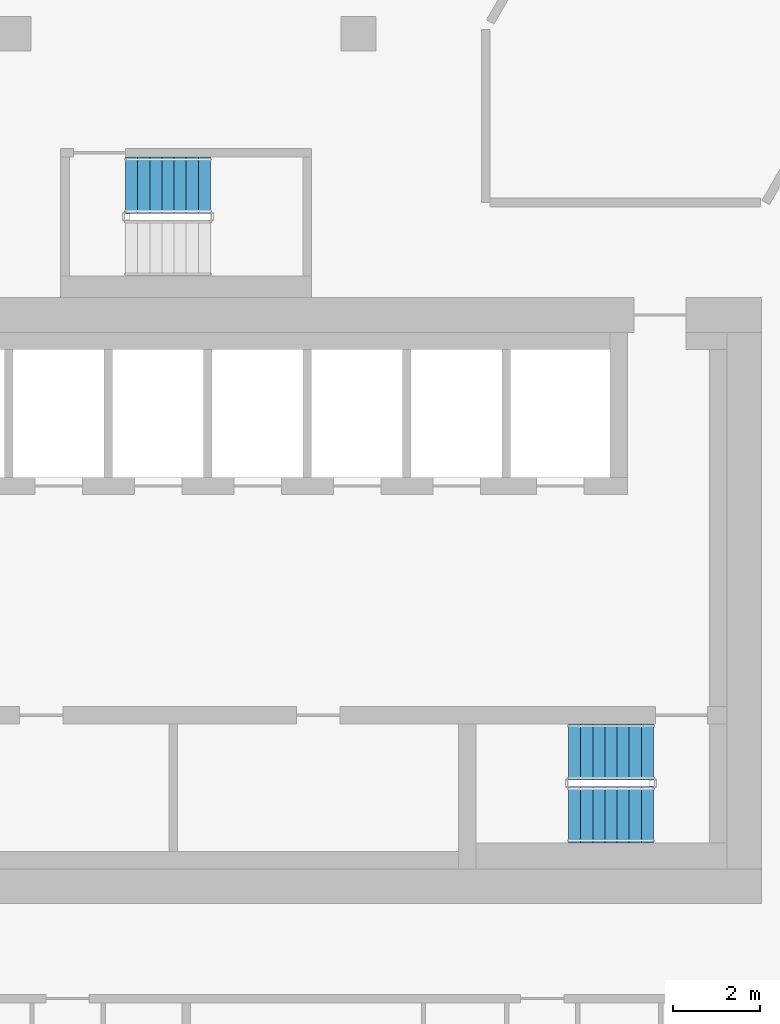
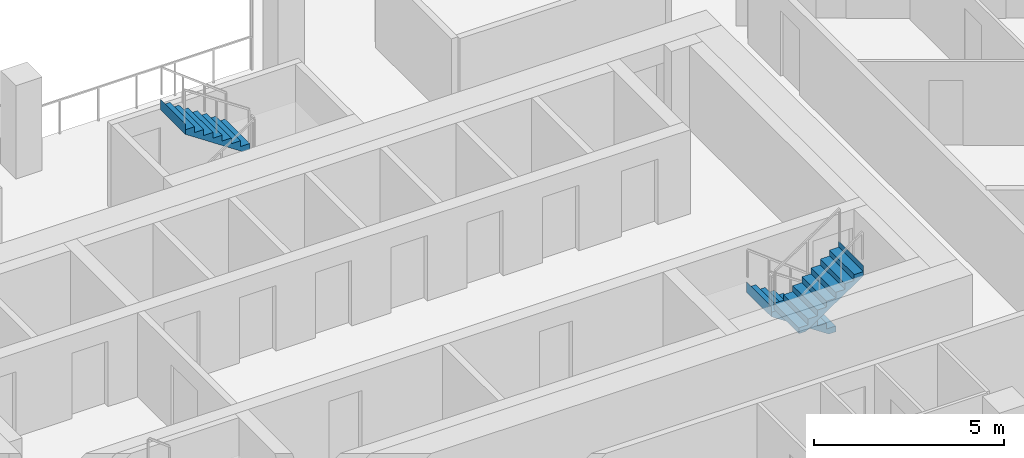
# One storey, part 11 of 15: 3 stair flights, 2 elements without a shape of their own.
"""IFC4 building model written with IfcOpenShell, lengths in metres."""

from ifc_helpers import new_model, si_unit, direction, frame, origin, place, context, subcontext, project, spatial, triangles, material, type_object, element, aggregate, save


model = new_model("IFC4")

# Units and contexts
model_context = context("Model", 3, precision=1e-05, world=origin(), true_north=direction((0.0, 1.0)))
body_context = subcontext(model_context, "Body", "Model", "MODEL_VIEW")
ifc_project = project(units=[si_unit("LENGTHUNIT", "METRE"), si_unit("AREAUNIT", "SQUARE_METRE"), si_unit("VOLUMEUNIT", "CUBIC_METRE"), si_unit("PLANEANGLEUNIT", "RADIAN"), si_unit("MASSUNIT", "GRAM", prefix="KILO")], contexts=[model_context])

# Site, building, storey
site_placement = place(None, origin())
site = spatial("IfcSite", under=ifc_project, at=site_placement, CompositionType="ELEMENT")
building_placement = place(site_placement, origin())
building = spatial("IfcBuilding", under=site, at=building_placement, Name="Beryl Residences", CompositionType="ELEMENT")
storey_placement = place(building_placement, frame((0.0, 0.0, 123.60009765625)))
storey = spatial("IfcBuildingStorey", under=building, at=storey_placement, Name="L37", CompositionType="ELEMENT", Elevation=123.60009765625)

# Stair, stair flights
ifc_material_1 = material(Name="Concrete C40/50", Category="concrete")
stair_type = type_object("IfcStairType", Name="ST1 protected exit stair, half-turn, 1300 mm flights", PredefinedType="HALF_TURN_STAIR", material=ifc_material_1)
stair_1_placement = place(storey_placement, origin())
stair_1 = element("IfcStair", 1, at=stair_1_placement, inside=storey, type_object=stair_type, Name="L37 PROTECTED EXIT STAIR ST-3", PredefinedType="HALF_TURN_STAIR")
ifc_material_2 = material(Name="Concrete C40/50", Category="concrete")
stair_flight_type = type_object("IfcStairFlightType", Name="SF1 stair flight 1300 mm", PredefinedType="STRAIGHT", material=ifc_material_2)
stair_flight_1_placement = place(storey_placement, frame((10.800048828125, -15.5, 0.0), z_axis=(0.0, 0.0, 1.0), x_axis=(-1.0, 0.0, 0.0)))
stair_flight_1 = element("IfcStairFlight", 2, at=stair_flight_1_placement, type_object=stair_flight_type, Name="ST-3 flight 1", NumberOfRisers=8, NumberOfTreads=7, PredefinedType="STRAIGHT", RiserHeight=0.1875, TreadLength=0.28, context=body_context, shape_type="Tessellation", body=[
    triangles([(0.0, -0.64990234375, 0.0), (0.0, -0.324951171875, 0.0), (0.0, 0.0, 0.0), (0.0, 0.324951171875, 0.0), (0.0, 0.64990234375, 0.0), (0.0, -0.64990234375, 0.1875), (0.0, -0.324951171875, 0.1875), (0.0, 0.0, 0.1875), (0.0, 0.324951171875, 0.1875), (0.0, 0.64990234375, 0.1875), (0.280029296875, -0.64990234375, 0.1875), (0.280029296875, -0.324951171875, 0.1875), (0.280029296875, 0.0, 0.1875), (0.280029296875, 0.324951171875, 0.1875), (0.280029296875, 0.64990234375, 0.1875), (0.280029296875, -0.64990234375, 0.375), (0.280029296875, -0.324951171875, 0.375), (0.280029296875, 0.0, 0.375), (0.280029296875, 0.324951171875, 0.375), (0.280029296875, 0.64990234375, 0.375), (0.56005859375, -0.64990234375, 0.375), (0.56005859375, -0.324951171875, 0.375), (0.56005859375, 0.0, 0.375), (0.56005859375, 0.324951171875, 0.375), (0.56005859375, 0.64990234375, 0.375), (0.56005859375, -0.64990234375, 0.5625), (0.56005859375, -0.324951171875, 0.5625), (0.56005859375, 0.0, 0.5625), (0.56005859375, 0.324951171875, 0.5625), (0.56005859375, 0.64990234375, 0.5625), (0.840087890625, -0.64990234375, 0.5625), (0.840087890625, -0.324951171875, 0.5625), (0.840087890625, 0.0, 0.5625), (0.840087890625, 0.324951171875, 0.5625), (0.840087890625, 0.64990234375, 0.5625), (0.840087890625, -0.64990234375, 0.75), (0.840087890625, -0.324951171875, 0.75), (0.840087890625, 0.0, 0.75), (0.840087890625, 0.324951171875, 0.75), (0.840087890625, 0.64990234375, 0.75), (1.1201171875, -0.64990234375, 0.75), (1.1201171875, -0.324951171875, 0.75), (1.1201171875, 0.0, 0.75), (1.1201171875, 0.324951171875, 0.75), (1.1201171875, 0.64990234375, 0.75), (1.1201171875, -0.64990234375, 0.9375), (1.1201171875, -0.324951171875, 0.9375), (1.1201171875, 0.0, 0.9375), (1.1201171875, 0.324951171875, 0.9375), (1.1201171875, 0.64990234375, 0.9375), (1.39990234375, -0.64990234375, 0.9375), (1.39990234375, -0.324951171875, 0.9375), (1.39990234375, 0.0, 0.9375), (1.39990234375, 0.324951171875, 0.9375), (1.39990234375, 0.64990234375, 0.9375), (1.39990234375, -0.64990234375, 1.125), (1.39990234375, -0.324951171875, 1.125), (1.39990234375, 0.0, 1.125), (1.39990234375, 0.324951171875, 1.125), (1.39990234375, 0.64990234375, 1.125), (1.679931640625, -0.64990234375, 1.125), (1.679931640625, -0.324951171875, 1.125), (1.679931640625, 0.0, 1.125), (1.679931640625, 0.324951171875, 1.125), (1.679931640625, 0.64990234375, 1.125), (1.679931640625, -0.64990234375, 1.3125), (1.679931640625, -0.324951171875, 1.3125), (1.679931640625, 0.0, 1.3125), (1.679931640625, 0.324951171875, 1.3125), (1.679931640625, 0.64990234375, 1.3125), (1.9599609375, -0.64990234375, 1.3125), (1.9599609375, -0.324951171875, 1.3125), (1.9599609375, 0.0, 1.3125), (1.9599609375, 0.324951171875, 1.3125), (1.9599609375, 0.64990234375, 1.3125), (1.9599609375, -0.64990234375, 1.5), (1.9599609375, -0.324951171875, 1.5), (1.9599609375, 0.0, 1.5), (1.9599609375, 0.324951171875, 1.5), (1.9599609375, 0.64990234375, 1.5), (1.9609375, -0.64990234375, 1.5), (1.9609375, -0.324951171875, 1.5), (1.9609375, 0.0, 1.5), (1.9609375, 0.324951171875, 1.5), (1.9609375, 0.64990234375, 1.5), (1.9609375, -0.64990234375, 1.16796875), (1.9609375, -0.324951171875, 1.16796875), (1.9609375, 0.0, 1.16796875), (1.9609375, 0.324951171875, 1.16796875), (1.9609375, 0.64990234375, 1.16796875), (0.216796875, -0.64990234375, 0.0), (0.216796875, -0.324951171875, 0.0), (0.216796875, 0.0, 0.0), (0.216796875, 0.324951171875, 0.0), (0.216796875, 0.64990234375, 0.0)], [[1, 6, 7], [1, 7, 2], [2, 7, 8], [2, 8, 3], [3, 8, 9], [3, 9, 4], [4, 9, 10], [4, 10, 5], [6, 11, 12], [6, 12, 7], [7, 12, 13], [7, 13, 8], [8, 13, 14], [8, 14, 9], [9, 14, 15], [9, 15, 10], [11, 16, 17], [11, 17, 12], [12, 17, 18], [12, 18, 13], [13, 18, 19], [13, 19, 14], [14, 19, 20], [14, 20, 15], [16, 21, 22], [16, 22, 17], [17, 22, 23], [17, 23, 18], [18, 23, 24], [18, 24, 19], [19, 24, 25], [19, 25, 20], [21, 26, 27], [21, 27, 22], [22, 27, 28], [22, 28, 23], [23, 28, 29], [23, 29, 24], [24, 29, 30], [24, 30, 25], [26, 31, 32], [26, 32, 27], [27, 32, 33], [27, 33, 28], [28, 33, 34], [28, 34, 29], [29, 34, 35], [29, 35, 30], [31, 36, 37], [31, 37, 32], [32, 37, 38], [32, 38, 33], [33, 38, 39], [33, 39, 34], [34, 39, 40], [34, 40, 35], [36, 41, 42], [36, 42, 37], [37, 42, 43], [37, 43, 38], [38, 43, 44], [38, 44, 39], [39, 44, 45], [39, 45, 40], [41, 46, 47], [41, 47, 42], [42, 47, 48], [42, 48, 43], [43, 48, 49], [43, 49, 44], [44, 49, 50], [44, 50, 45], [46, 51, 52], [46, 52, 47], [47, 52, 53], [47, 53, 48], [48, 53, 54], [48, 54, 49], [49, 54, 55], [49, 55, 50], [51, 56, 57], [51, 57, 52], [52, 57, 58], [52, 58, 53], [53, 58, 59], [53, 59, 54], [54, 59, 60], [54, 60, 55], [56, 61, 62], [56, 62, 57], [57, 62, 63], [57, 63, 58], [58, 63, 64], [58, 64, 59], [59, 64, 65], [59, 65, 60], [61, 66, 67], [61, 67, 62], [62, 67, 68], [62, 68, 63], [63, 68, 69], [63, 69, 64], [64, 69, 70], [64, 70, 65], [66, 71, 72], [66, 72, 67], [67, 72, 73], [67, 73, 68], [68, 73, 74], [68, 74, 69], [69, 74, 75], [69, 75, 70], [71, 76, 77], [71, 77, 72], [72, 77, 78], [72, 78, 73], [73, 78, 79], [73, 79, 74], [74, 79, 80], [74, 80, 75], [76, 81, 82], [76, 82, 77], [77, 82, 83], [77, 83, 78], [78, 83, 84], [78, 84, 79], [79, 84, 85], [79, 85, 80], [81, 86, 87], [81, 87, 82], [82, 87, 88], [82, 88, 83], [83, 88, 89], [83, 89, 84], [84, 89, 90], [84, 90, 85], [86, 91, 92], [86, 92, 87], [87, 92, 93], [87, 93, 88], [88, 93, 94], [88, 94, 89], [89, 94, 95], [89, 95, 90], [91, 1, 2], [91, 2, 92], [92, 2, 3], [92, 3, 93], [93, 3, 4], [93, 4, 94], [94, 4, 5], [94, 5, 95], [1, 91, 86], [5, 90, 95], [86, 81, 76], [90, 80, 85], [86, 76, 71], [90, 75, 80], [86, 71, 66], [90, 70, 75], [86, 66, 61], [90, 65, 70], [61, 56, 51], [65, 55, 60], [86, 61, 51], [90, 55, 65], [51, 46, 41], [55, 45, 50], [86, 51, 41], [90, 45, 55], [41, 36, 31], [45, 35, 40], [86, 41, 31], [90, 35, 45], [31, 26, 21], [35, 25, 30], [86, 31, 21], [90, 25, 35], [21, 16, 11], [25, 15, 20], [86, 21, 11], [90, 15, 25], [1, 86, 11], [5, 15, 90], [11, 6, 1], [15, 5, 10]], closed=True),
])
stair_flight_2_placement = place(storey_placement, frame((8.840087890625, -16.949951171875, 1.5), z_axis=(0.0, 0.0, 1.0), x_axis=(1.0, 0.0, 0.0)))
stair_flight_2 = element("IfcStairFlight", 3, at=stair_flight_2_placement, type_object=stair_flight_type, Name="ST-3 flight 2", NumberOfRisers=8, NumberOfTreads=7, PredefinedType="STRAIGHT", RiserHeight=0.1875, TreadLength=0.28, context=body_context, shape_type="Tessellation", body=[
    triangles([(0.0, -0.64990234375, 0.0), (0.0, -0.324951171875, 0.0), (0.0, 0.0, 0.0), (0.0, 0.324951171875, 0.0), (0.0, 0.64990234375, 0.0), (0.0, -0.64990234375, 0.1875), (0.0, -0.324951171875, 0.1875), (0.0, 0.0, 0.1875), (0.0, 0.324951171875, 0.1875), (0.0, 0.64990234375, 0.1875), (0.280029296875, -0.64990234375, 0.1875), (0.280029296875, -0.324951171875, 0.1875), (0.280029296875, 0.0, 0.1875), (0.280029296875, 0.324951171875, 0.1875), (0.280029296875, 0.64990234375, 0.1875), (0.280029296875, -0.64990234375, 0.375), (0.280029296875, -0.324951171875, 0.375), (0.280029296875, 0.0, 0.375), (0.280029296875, 0.324951171875, 0.375), (0.280029296875, 0.64990234375, 0.375), (0.56005859375, -0.64990234375, 0.375), (0.56005859375, -0.324951171875, 0.375), (0.56005859375, 0.0, 0.375), (0.56005859375, 0.324951171875, 0.375), (0.56005859375, 0.64990234375, 0.375), (0.56005859375, -0.64990234375, 0.5625), (0.56005859375, -0.324951171875, 0.5625), (0.56005859375, 0.0, 0.5625), (0.56005859375, 0.324951171875, 0.5625), (0.56005859375, 0.64990234375, 0.5625), (0.840087890625, -0.64990234375, 0.5625), (0.840087890625, -0.324951171875, 0.5625), (0.840087890625, 0.0, 0.5625), (0.840087890625, 0.324951171875, 0.5625), (0.840087890625, 0.64990234375, 0.5625), (0.840087890625, -0.64990234375, 0.75), (0.840087890625, -0.324951171875, 0.75), (0.840087890625, 0.0, 0.75), (0.840087890625, 0.324951171875, 0.75), (0.840087890625, 0.64990234375, 0.75), (1.1201171875, -0.64990234375, 0.75), (1.1201171875, -0.324951171875, 0.75), (1.1201171875, 0.0, 0.75), (1.1201171875, 0.324951171875, 0.75), (1.1201171875, 0.64990234375, 0.75), (1.1201171875, -0.64990234375, 0.9375), (1.1201171875, -0.324951171875, 0.9375), (1.1201171875, 0.0, 0.9375), (1.1201171875, 0.324951171875, 0.9375), (1.1201171875, 0.64990234375, 0.9375), (1.39990234375, -0.64990234375, 0.9375), (1.39990234375, -0.324951171875, 0.9375), (1.39990234375, 0.0, 0.9375), (1.39990234375, 0.324951171875, 0.9375), (1.39990234375, 0.64990234375, 0.9375), (1.39990234375, -0.64990234375, 1.125), (1.39990234375, -0.324951171875, 1.125), (1.39990234375, 0.0, 1.125), (1.39990234375, 0.324951171875, 1.125), (1.39990234375, 0.64990234375, 1.125), (1.679931640625, -0.64990234375, 1.125), (1.679931640625, -0.324951171875, 1.125), (1.679931640625, 0.0, 1.125), (1.679931640625, 0.324951171875, 1.125), (1.679931640625, 0.64990234375, 1.125), (1.679931640625, -0.64990234375, 1.3125), (1.679931640625, -0.324951171875, 1.3125), (1.679931640625, 0.0, 1.3125), (1.679931640625, 0.324951171875, 1.3125), (1.679931640625, 0.64990234375, 1.3125), (1.9599609375, -0.64990234375, 1.3125), (1.9599609375, -0.324951171875, 1.3125), (1.9599609375, 0.0, 1.3125), (1.9599609375, 0.324951171875, 1.3125), (1.9599609375, 0.64990234375, 1.3125), (1.9599609375, -0.64990234375, 1.5), (1.9599609375, -0.324951171875, 1.5), (1.9599609375, 0.0, 1.5), (1.9599609375, 0.324951171875, 1.5), (1.9599609375, 0.64990234375, 1.5), (1.9609375, -0.64990234375, 1.5), (1.9609375, -0.324951171875, 1.5), (1.9609375, 0.0, 1.5), (1.9609375, 0.324951171875, 1.5), (1.9609375, 0.64990234375, 1.5), (1.9609375, -0.64990234375, 1.16796875), (1.9609375, -0.324951171875, 1.16796875), (1.9609375, 0.0, 1.16796875), (1.9609375, 0.324951171875, 1.16796875), (1.9609375, 0.64990234375, 1.16796875), (0.216796875, -0.64990234375, 0.0), (0.216796875, -0.324951171875, 0.0), (0.216796875, 0.0, 0.0), (0.216796875, 0.324951171875, 0.0), (0.216796875, 0.64990234375, 0.0)], [[1, 6, 7], [1, 7, 2], [2, 7, 8], [2, 8, 3], [3, 8, 9], [3, 9, 4], [4, 9, 10], [4, 10, 5], [6, 11, 12], [6, 12, 7], [7, 12, 13], [7, 13, 8], [8, 13, 14], [8, 14, 9], [9, 14, 15], [9, 15, 10], [11, 16, 17], [11, 17, 12], [12, 17, 18], [12, 18, 13], [13, 18, 19], [13, 19, 14], [14, 19, 20], [14, 20, 15], [16, 21, 22], [16, 22, 17], [17, 22, 23], [17, 23, 18], [18, 23, 24], [18, 24, 19], [19, 24, 25], [19, 25, 20], [21, 26, 27], [21, 27, 22], [22, 27, 28], [22, 28, 23], [23, 28, 29], [23, 29, 24], [24, 29, 30], [24, 30, 25], [26, 31, 32], [26, 32, 27], [27, 32, 33], [27, 33, 28], [28, 33, 34], [28, 34, 29], [29, 34, 35], [29, 35, 30], [31, 36, 37], [31, 37, 32], [32, 37, 38], [32, 38, 33], [33, 38, 39], [33, 39, 34], [34, 39, 40], [34, 40, 35], [36, 41, 42], [36, 42, 37], [37, 42, 43], [37, 43, 38], [38, 43, 44], [38, 44, 39], [39, 44, 45], [39, 45, 40], [41, 46, 47], [41, 47, 42], [42, 47, 48], [42, 48, 43], [43, 48, 49], [43, 49, 44], [44, 49, 50], [44, 50, 45], [46, 51, 52], [46, 52, 47], [47, 52, 53], [47, 53, 48], [48, 53, 54], [48, 54, 49], [49, 54, 55], [49, 55, 50], [51, 56, 57], [51, 57, 52], [52, 57, 58], [52, 58, 53], [53, 58, 59], [53, 59, 54], [54, 59, 60], [54, 60, 55], [56, 61, 62], [56, 62, 57], [57, 62, 63], [57, 63, 58], [58, 63, 64], [58, 64, 59], [59, 64, 65], [59, 65, 60], [61, 66, 67], [61, 67, 62], [62, 67, 68], [62, 68, 63], [63, 68, 69], [63, 69, 64], [64, 69, 70], [64, 70, 65], [66, 71, 72], [66, 72, 67], [67, 72, 73], [67, 73, 68], [68, 73, 74], [68, 74, 69], [69, 74, 75], [69, 75, 70], [71, 76, 77], [71, 77, 72], [72, 77, 78], [72, 78, 73], [73, 78, 79], [73, 79, 74], [74, 79, 80], [74, 80, 75], [76, 81, 82], [76, 82, 77], [77, 82, 83], [77, 83, 78], [78, 83, 84], [78, 84, 79], [79, 84, 85], [79, 85, 80], [81, 86, 87], [81, 87, 82], [82, 87, 88], [82, 88, 83], [83, 88, 89], [83, 89, 84], [84, 89, 90], [84, 90, 85], [86, 91, 92], [86, 92, 87], [87, 92, 93], [87, 93, 88], [88, 93, 94], [88, 94, 89], [89, 94, 95], [89, 95, 90], [91, 1, 2], [91, 2, 92], [92, 2, 3], [92, 3, 93], [93, 3, 4], [93, 4, 94], [94, 4, 5], [94, 5, 95], [1, 91, 86], [5, 90, 95], [86, 81, 76], [90, 80, 85], [86, 76, 71], [90, 75, 80], [86, 71, 66], [90, 70, 75], [86, 66, 61], [90, 65, 70], [61, 56, 51], [65, 55, 60], [86, 61, 51], [90, 55, 65], [51, 46, 41], [55, 45, 50], [86, 51, 41], [90, 45, 55], [41, 36, 31], [45, 35, 40], [86, 41, 31], [90, 35, 45], [31, 26, 21], [35, 25, 30], [86, 31, 21], [90, 25, 35], [21, 16, 11], [25, 15, 20], [86, 21, 11], [90, 15, 25], [1, 86, 11], [5, 15, 90], [11, 6, 1], [15, 5, 10]], closed=True),
])
aggregate(stair_1, [stair_flight_1, stair_flight_2])

# Stair, stair flight
stair_2_placement = place(storey_placement, origin())
stair_2 = element("IfcStair", 4, at=stair_2_placement, inside=storey, type_object=stair_type, Name="L37 PROTECTED EXIT STAIR ST-4", PredefinedType="HALF_TURN_STAIR")
stair_flight_3_placement = place(storey_placement, frame((0.56005859375, -2.39990234375, 1.5), z_axis=(0.0, 0.0, 1.0), x_axis=(-1.0, 0.0, 0.0)))
stair_flight_3 = element("IfcStairFlight", 5, at=stair_flight_3_placement, type_object=stair_flight_type, Name="ST-4 flight 2", NumberOfRisers=8, NumberOfTreads=7, PredefinedType="STRAIGHT", RiserHeight=0.1875, TreadLength=0.28, context=body_context, shape_type="Tessellation", body=[
    triangles([(0.0, -0.64990234375, 0.0), (0.0, -0.324951171875, 0.0), (0.0, 0.0, 0.0), (0.0, 0.324951171875, 0.0), (0.0, 0.64990234375, 0.0), (0.0, -0.64990234375, 0.1875), (0.0, -0.324951171875, 0.1875), (0.0, 0.0, 0.1875), (0.0, 0.324951171875, 0.1875), (0.0, 0.64990234375, 0.1875), (0.280029296875, -0.64990234375, 0.1875), (0.280029296875, -0.324951171875, 0.1875), (0.280029296875, 0.0, 0.1875), (0.280029296875, 0.324951171875, 0.1875), (0.280029296875, 0.64990234375, 0.1875), (0.280029296875, -0.64990234375, 0.375), (0.280029296875, -0.324951171875, 0.375), (0.280029296875, 0.0, 0.375), (0.280029296875, 0.324951171875, 0.375), (0.280029296875, 0.64990234375, 0.375), (0.56005859375, -0.64990234375, 0.375), (0.56005859375, -0.324951171875, 0.375), (0.56005859375, 0.0, 0.375), (0.56005859375, 0.324951171875, 0.375), (0.56005859375, 0.64990234375, 0.375), (0.56005859375, -0.64990234375, 0.5625), (0.56005859375, -0.324951171875, 0.5625), (0.56005859375, 0.0, 0.5625), (0.56005859375, 0.324951171875, 0.5625), (0.56005859375, 0.64990234375, 0.5625), (0.840087890625, -0.64990234375, 0.5625), (0.840087890625, -0.324951171875, 0.5625), (0.840087890625, 0.0, 0.5625), (0.840087890625, 0.324951171875, 0.5625), (0.840087890625, 0.64990234375, 0.5625), (0.840087890625, -0.64990234375, 0.75), (0.840087890625, -0.324951171875, 0.75), (0.840087890625, 0.0, 0.75), (0.840087890625, 0.324951171875, 0.75), (0.840087890625, 0.64990234375, 0.75), (1.1201171875, -0.64990234375, 0.75), (1.1201171875, -0.324951171875, 0.75), (1.1201171875, 0.0, 0.75), (1.1201171875, 0.324951171875, 0.75), (1.1201171875, 0.64990234375, 0.75), (1.1201171875, -0.64990234375, 0.9375), (1.1201171875, -0.324951171875, 0.9375), (1.1201171875, 0.0, 0.9375), (1.1201171875, 0.324951171875, 0.9375), (1.1201171875, 0.64990234375, 0.9375), (1.39990234375, -0.64990234375, 0.9375), (1.39990234375, -0.324951171875, 0.9375), (1.39990234375, 0.0, 0.9375), (1.39990234375, 0.324951171875, 0.9375), (1.39990234375, 0.64990234375, 0.9375), (1.39990234375, -0.64990234375, 1.125), (1.39990234375, -0.324951171875, 1.125), (1.39990234375, 0.0, 1.125), (1.39990234375, 0.324951171875, 1.125), (1.39990234375, 0.64990234375, 1.125), (1.679931640625, -0.64990234375, 1.125), (1.679931640625, -0.324951171875, 1.125), (1.679931640625, 0.0, 1.125), (1.679931640625, 0.324951171875, 1.125), (1.679931640625, 0.64990234375, 1.125), (1.679931640625, -0.64990234375, 1.3125), (1.679931640625, -0.324951171875, 1.3125), (1.679931640625, 0.0, 1.3125), (1.679931640625, 0.324951171875, 1.3125), (1.679931640625, 0.64990234375, 1.3125), (1.9599609375, -0.64990234375, 1.3125), (1.9599609375, -0.324951171875, 1.3125), (1.9599609375, 0.0, 1.3125), (1.9599609375, 0.324951171875, 1.3125), (1.9599609375, 0.64990234375, 1.3125), (1.9599609375, -0.64990234375, 1.5), (1.9599609375, -0.324951171875, 1.5), (1.9599609375, 0.0, 1.5), (1.9599609375, 0.324951171875, 1.5), (1.9599609375, 0.64990234375, 1.5), (1.9609375, -0.64990234375, 1.5), (1.9609375, -0.324951171875, 1.5), (1.9609375, 0.0, 1.5), (1.9609375, 0.324951171875, 1.5), (1.9609375, 0.64990234375, 1.5), (1.9609375, -0.64990234375, 1.16796875), (1.9609375, -0.324951171875, 1.16796875), (1.9609375, 0.0, 1.16796875), (1.9609375, 0.324951171875, 1.16796875), (1.9609375, 0.64990234375, 1.16796875), (0.216796875, -0.64990234375, 0.0), (0.216796875, -0.324951171875, 0.0), (0.216796875, 0.0, 0.0), (0.216796875, 0.324951171875, 0.0), (0.216796875, 0.64990234375, 0.0)], [[1, 6, 7], [1, 7, 2], [2, 7, 8], [2, 8, 3], [3, 8, 9], [3, 9, 4], [4, 9, 10], [4, 10, 5], [6, 11, 12], [6, 12, 7], [7, 12, 13], [7, 13, 8], [8, 13, 14], [8, 14, 9], [9, 14, 15], [9, 15, 10], [11, 16, 17], [11, 17, 12], [12, 17, 18], [12, 18, 13], [13, 18, 19], [13, 19, 14], [14, 19, 20], [14, 20, 15], [16, 21, 22], [16, 22, 17], [17, 22, 23], [17, 23, 18], [18, 23, 24], [18, 24, 19], [19, 24, 25], [19, 25, 20], [21, 26, 27], [21, 27, 22], [22, 27, 28], [22, 28, 23], [23, 28, 29], [23, 29, 24], [24, 29, 30], [24, 30, 25], [26, 31, 32], [26, 32, 27], [27, 32, 33], [27, 33, 28], [28, 33, 34], [28, 34, 29], [29, 34, 35], [29, 35, 30], [31, 36, 37], [31, 37, 32], [32, 37, 38], [32, 38, 33], [33, 38, 39], [33, 39, 34], [34, 39, 40], [34, 40, 35], [36, 41, 42], [36, 42, 37], [37, 42, 43], [37, 43, 38], [38, 43, 44], [38, 44, 39], [39, 44, 45], [39, 45, 40], [41, 46, 47], [41, 47, 42], [42, 47, 48], [42, 48, 43], [43, 48, 49], [43, 49, 44], [44, 49, 50], [44, 50, 45], [46, 51, 52], [46, 52, 47], [47, 52, 53], [47, 53, 48], [48, 53, 54], [48, 54, 49], [49, 54, 55], [49, 55, 50], [51, 56, 57], [51, 57, 52], [52, 57, 58], [52, 58, 53], [53, 58, 59], [53, 59, 54], [54, 59, 60], [54, 60, 55], [56, 61, 62], [56, 62, 57], [57, 62, 63], [57, 63, 58], [58, 63, 64], [58, 64, 59], [59, 64, 65], [59, 65, 60], [61, 66, 67], [61, 67, 62], [62, 67, 68], [62, 68, 63], [63, 68, 69], [63, 69, 64], [64, 69, 70], [64, 70, 65], [66, 71, 72], [66, 72, 67], [67, 72, 73], [67, 73, 68], [68, 73, 74], [68, 74, 69], [69, 74, 75], [69, 75, 70], [71, 76, 77], [71, 77, 72], [72, 77, 78], [72, 78, 73], [73, 78, 79], [73, 79, 74], [74, 79, 80], [74, 80, 75], [76, 81, 82], [76, 82, 77], [77, 82, 83], [77, 83, 78], [78, 83, 84], [78, 84, 79], [79, 84, 85], [79, 85, 80], [81, 86, 87], [81, 87, 82], [82, 87, 88], [82, 88, 83], [83, 88, 89], [83, 89, 84], [84, 89, 90], [84, 90, 85], [86, 91, 92], [86, 92, 87], [87, 92, 93], [87, 93, 88], [88, 93, 94], [88, 94, 89], [89, 94, 95], [89, 95, 90], [91, 1, 2], [91, 2, 92], [92, 2, 3], [92, 3, 93], [93, 3, 4], [93, 4, 94], [94, 4, 5], [94, 5, 95], [1, 91, 86], [5, 90, 95], [86, 81, 76], [90, 80, 85], [86, 76, 71], [90, 75, 80], [86, 71, 66], [90, 70, 75], [86, 66, 61], [90, 65, 70], [61, 56, 51], [65, 55, 60], [86, 61, 51], [90, 55, 65], [51, 46, 41], [55, 45, 50], [86, 51, 41], [90, 45, 55], [41, 36, 31], [45, 35, 40], [86, 41, 31], [90, 35, 45], [31, 26, 21], [35, 25, 30], [86, 31, 21], [90, 25, 35], [21, 16, 11], [25, 15, 20], [86, 21, 11], [90, 15, 25], [1, 86, 11], [5, 15, 90], [11, 6, 1], [15, 5, 10]], closed=True),
])
aggregate(stair_2, [stair_flight_3])

save(model, "model.ifc")
